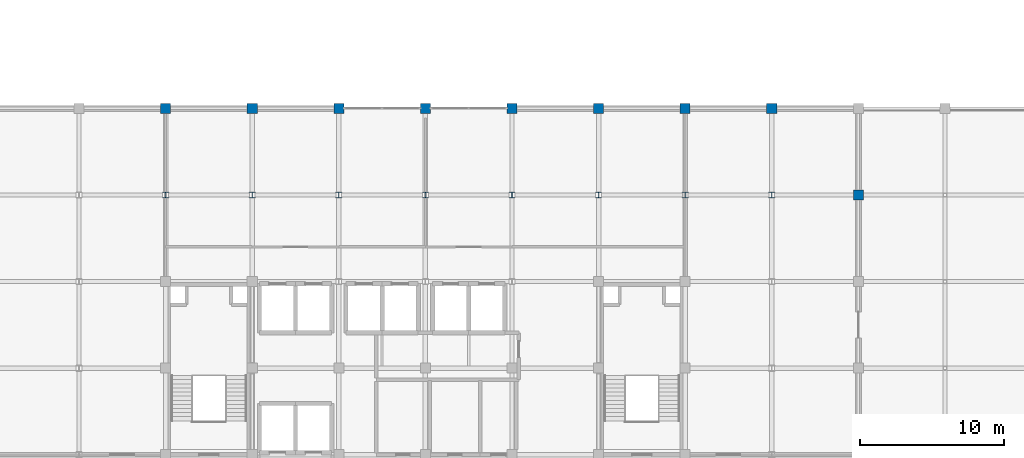
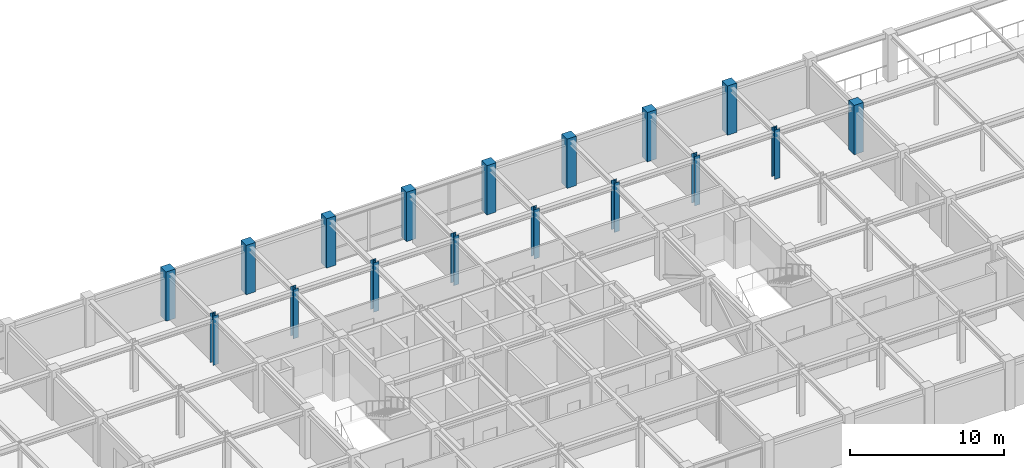
# One storey, part 6 of 25: 17 columns.
"""IFC4 building model written with IfcOpenShell, lengths in metres."""

from ifc_helpers import new_model, si_unit, direction, frame, origin, origin_2d, place, context, subcontext, project, spatial, rectangle, i_section, extrude, material, material_profile, profile_set, type_object, element, save


model = new_model("IFC4")

# Units and contexts
model_context = context("Model", 3, precision=1e-05, world=origin(), true_north=direction((0.0, 1.0)))
body_context = subcontext(model_context, "Body", "Model", "MODEL_VIEW")
ifc_project = project(units=[si_unit("LENGTHUNIT", "METRE"), si_unit("AREAUNIT", "SQUARE_METRE"), si_unit("VOLUMEUNIT", "CUBIC_METRE"), si_unit("PLANEANGLEUNIT", "RADIAN"), si_unit("MASSUNIT", "GRAM", prefix="KILO")], contexts=[model_context])

# Site, building, storey
site_placement = place(None, origin())
site = spatial("IfcSite", under=ifc_project, at=site_placement, CompositionType="ELEMENT")
building_placement = place(site_placement, origin())
building = spatial("IfcBuilding", under=site, at=building_placement, Name="Zlatovratsky Civic Hall", CompositionType="ELEMENT")
storey_placement = place(building_placement, frame((0.0, 0.0, 21.0)))
storey = spatial("IfcBuildingStorey", under=building, at=storey_placement, Name="L05", CompositionType="ELEMENT", Elevation=21.0)

# Columns
ifc_material_1 = material(Name="Concrete C35/45 (B40)", Category="concrete")
ifc_material_profile_1 = material_profile(ifc_material_1, rectangle(XDim=0.699951171875, YDim=0.699951171875, at=origin_2d()), Name="RC 700x700")
ifc_profile_set_1 = profile_set([ifc_material_profile_1], Name="Concrete C35/45 (B40)")
column_type_1 = type_object("IfcColumnType", Name="Col_CorePier_RC700", PredefinedType="COLUMN", material=ifc_profile_set_1)
for number, where, z_axis, x_axis, name in (
    (1, (114.0, 102.0, 0.0), (0.0, 0.0, 1.0), (1.0, 0.0, 0.0), "CL-2000"),
    (2, (66.0, 108.0, 0.0), (0.0, 0.0, 1.0), (1.0, 0.0, 0.0), "CL-2007"),
    (3, (72.0, 108.0, 0.0), (0.0, 0.0, 1.0), (1.0, 0.0, 0.0), "CL-2008"),
    (4, (78.0, 108.0, 0.0), (0.0, 0.0, 1.0), (1.0, 0.0, 0.0), "CL-2009"),
    (5, (84.0, 108.0, 0.0), (0.0, 0.0, 1.0), (1.0, 0.0, 0.0), "CL-2010"),
    (6, (90.0, 108.0, 0.0), (0.0, 0.0, 1.0), (1.0, 0.0, 0.0), "CL-2011"),
    (7, (96.0, 108.0, 0.0), (0.0, 0.0, 1.0), (1.0, 0.0, 0.0), "CL-2012"),
    (8, (102.0, 108.0, 0.0), (0.0, 0.0, 1.0), (1.0, 0.0, 0.0), "CL-2013"),
    (9, (108.0, 108.0, 0.0), (0.0, 0.0, 1.0), (1.0, 0.0, 0.0), "CL-2014"),
):
    element("IfcColumn", number, at=place(storey_placement, frame(where, z_axis=z_axis, x_axis=x_axis)), inside=storey, type_object=column_type_1, Name=name, PredefinedType="COLUMN", context=body_context, shape_type="SweptSolid", body=[
        extrude(rectangle(XDim=0.699951171875, YDim=0.699951171875, at=origin_2d()), origin(), (0.0, 0.0, 1.0), 3.89990234375),
    ])
ifc_material_2 = material(Name="Steel S355", Category="steel")
ifc_material_profile_2 = material_profile(ifc_material_2, i_section(OverallWidth=0.39990234375, OverallDepth=0.39990234375, WebThickness=0.012939453125, FlangeThickness=0.02099609375, FilletRadius=0.02197265625, at=origin_2d()), Name="40K2")
ifc_profile_set_2 = profile_set([ifc_material_profile_2], Name="Steel S355")
column_type_2 = type_object("IfcColumnType", Name="Col_Steel_40K2", PredefinedType="COLUMN", material=ifc_profile_set_2)
for number, where, z_axis, x_axis, name in (
    (10, (66.0, 102.0, 0.0), (0.0, 0.0, 1.0), (1.0, 0.0, 0.0), "CL-1992"),
    (11, (72.0, 102.0, 0.0), (0.0, 0.0, 1.0), (1.0, 0.0, 0.0), "CL-1993"),
    (12, (78.0, 102.0, 0.0), (0.0, 0.0, 1.0), (1.0, 0.0, 0.0), "CL-1994"),
    (13, (84.0, 102.0, 0.0), (0.0, 0.0, 1.0), (1.0, 0.0, 0.0), "CL-1995"),
    (14, (90.0, 102.0, 0.0), (0.0, 0.0, 1.0), (1.0, 0.0, 0.0), "CL-1996"),
    (15, (96.0, 102.0, 0.0), (0.0, 0.0, 1.0), (1.0, 0.0, 0.0), "CL-1997"),
    (16, (102.0, 102.0, 0.0), (0.0, 0.0, 1.0), (1.0, 0.0, 0.0), "CL-1998"),
    (17, (108.0, 102.0, 0.0), (0.0, 0.0, 1.0), (1.0, 0.0, 0.0), "CL-1999"),
):
    element("IfcColumn", number, at=place(storey_placement, frame(where, z_axis=z_axis, x_axis=x_axis)), inside=storey, type_object=column_type_2, Name=name, PredefinedType="COLUMN", context=body_context, shape_type="SweptSolid", body=[
        extrude(i_section(OverallWidth=0.39990234375, OverallDepth=0.39990234375, WebThickness=0.012939453125, FlangeThickness=0.02099609375, FilletRadius=0.02197265625, at=origin_2d()), origin(), (0.0, 0.0, 1.0), 3.89990234375),
    ])

save(model, "model.ifc")
